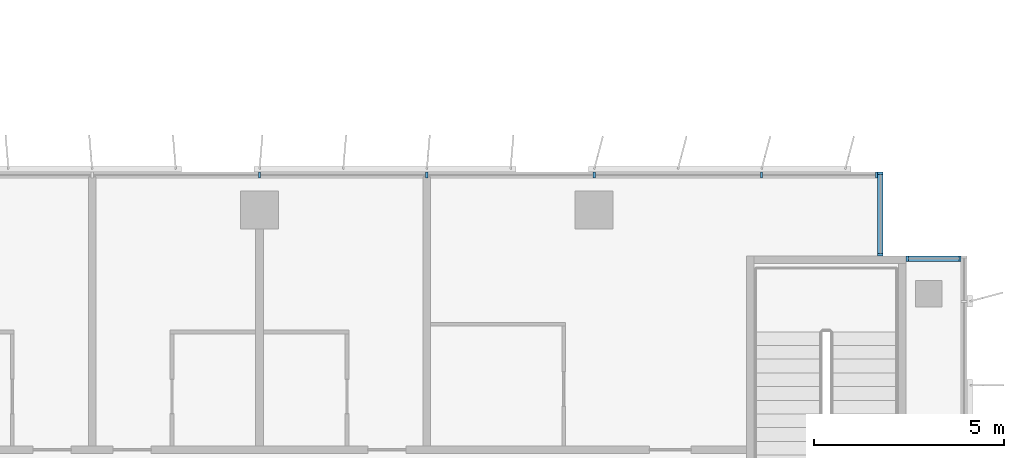
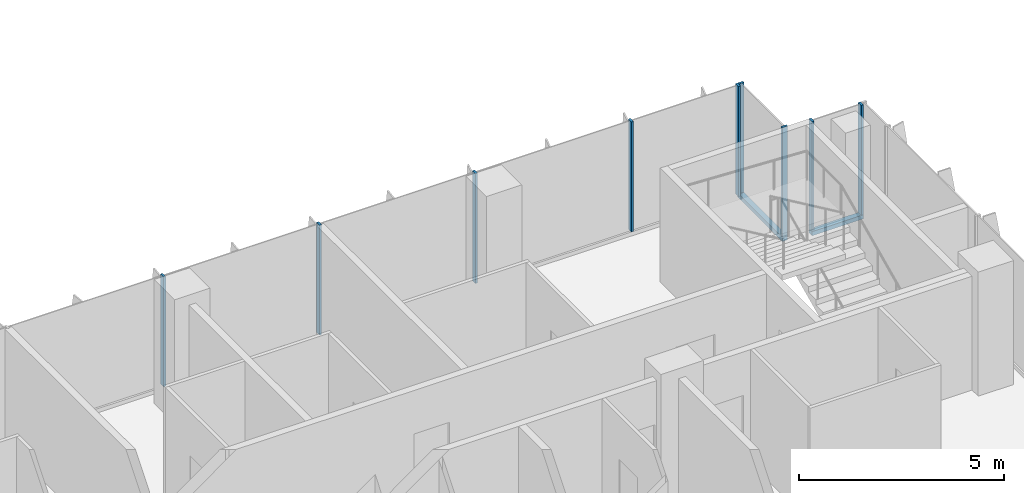
# One storey, part 4 of 22: 11 members, 3 elements without a shape of their own.
"""IFC4 building model written with IfcOpenShell, lengths in metres."""

from ifc_helpers import new_model, si_unit, direction, frame, origin, origin_2d, place, context, subcontext, project, spatial, rectangle, extrude, source, transform, mapped, material, material_profile, profile_set, type_object, element, aggregate, save


model = new_model("IFC4")

# Units and contexts
model_context = context("Model", 3, precision=1e-05, world=origin(), true_north=direction((0.0, 1.0)))
body_context = subcontext(model_context, "Body", "Model", "MODEL_VIEW")
ifc_project = project(units=[si_unit("LENGTHUNIT", "METRE"), si_unit("AREAUNIT", "SQUARE_METRE"), si_unit("VOLUMEUNIT", "CUBIC_METRE"), si_unit("PLANEANGLEUNIT", "RADIAN"), si_unit("MASSUNIT", "GRAM", prefix="KILO")], contexts=[model_context])

# Site, building, storey
site_placement = place(None, origin())
site = spatial("IfcSite", under=ifc_project, at=site_placement, CompositionType="ELEMENT")
building_placement = place(site_placement, origin())
building = spatial("IfcBuilding", under=site, at=building_placement, Name="Kemantara Hotel Tower", CompositionType="ELEMENT")
storey_placement = place(building_placement, frame((0.0, 0.0, 153.10009765625)))
storey = spatial("IfcBuildingStorey", under=building, at=storey_placement, Name="L37", CompositionType="ELEMENT", Elevation=153.10009765625)

# Curtain wall, member
ifc_material_1 = material(Name="Low-E tinted double insulated glass 36 mm", Category="glass")
curtain_wall_type = type_object("IfcCurtainWallType", Name="TOWER CURTAIN WALL, FRONT FACES", PredefinedType="USERDEFINED", material=ifc_material_1)
curtain_wall_1_placement = place(storey_placement, origin())
curtain_wall_1 = element("IfcCurtainWall", 1, at=curtain_wall_1_placement, inside=storey, type_object=curtain_wall_type, Name="CW4 L37 T3-R12-1", ObjectType="TOWER CURTAIN WALL, FRONT FACES", PredefinedType="USERDEFINED")
ifc_material_2 = material(Name="Aluminium 6063-T6 bronze anodised", Category="aluminium")
ifc_material_profile_1 = material_profile(ifc_material_2, rectangle(XDim=0.14990234375, YDim=0.1201171875, at=origin_2d()), Name="TOWER CURTAIN WALL, FRONT FACES TRANSOM")
ifc_profile_set_1 = profile_set([ifc_material_profile_1], Name="Aluminium 6063-T6 bronze anodised")
member_type_1 = type_object("IfcMemberType", Name="TOWER CURTAIN WALL, FRONT FACES TRANSOM", PredefinedType="USERDEFINED", material=ifc_profile_set_1)
member_1_placement = place(storey_placement, frame((63.449951171875, 19.72509765625, 0.059814453125), z_axis=(-1.0, 0.0, 0.0), x_axis=(0.0, -1.0, 0.0)))
member_1 = element("IfcMember", 2, at=member_1_placement, type_object=member_type_1, Name="CW4 sill transom T3-R12-1", ObjectType="TRANSOM", PredefinedType="USERDEFINED", context=body_context, shape_type="SweptSolid", body=[
    extrude(rectangle(XDim=0.14990234375, YDim=0.1201171875, at=origin_2d()), origin(), (0.0, 0.0, 1.0), 1.449951171875),
])

curtain_wall_2_placement = place(storey_placement, origin())
curtain_wall_2 = element("IfcCurtainWall", 3, at=curtain_wall_2_placement, inside=storey, type_object=curtain_wall_type, Name="CW4 L37 T3-R13-1", ObjectType="TOWER CURTAIN WALL, FRONT FACES", PredefinedType="USERDEFINED")
member_2_placement = place(storey_placement, frame((61.324951171875, 19.800048828125, 0.059814453125), z_axis=(0.0, 1.0, 0.0), x_axis=(-1.0, 0.0, 0.0)))
member_2 = element("IfcMember", 4, at=member_2_placement, type_object=member_type_1, Name="CW4 sill transom T3-R13-1", ObjectType="TRANSOM", PredefinedType="USERDEFINED", context=body_context, shape_type="SweptSolid", body=[
    extrude(rectangle(XDim=0.14990234375, YDim=0.1201171875, at=origin_2d()), origin(), (0.0, 0.0, 1.0), 2.199951171875),
])

# Curtain wall, members
curtain_wall_3_placement = place(storey_placement, origin())
curtain_wall_3 = element("IfcCurtainWall", 5, at=curtain_wall_3_placement, inside=storey, type_object=curtain_wall_type, Name="CW4 L37 T3-R14-1", ObjectType="TOWER CURTAIN WALL, FRONT FACES", PredefinedType="USERDEFINED")
ifc_material_profile_2 = material_profile(ifc_material_2, rectangle(XDim=0.14990234375, YDim=0.06005859375, at=origin_2d()), Name="TOWER CURTAIN WALL, FRONT FACES MULLION")
ifc_profile_set_2 = profile_set([ifc_material_profile_2], Name="Aluminium 6063-T6 bronze anodised")
member_type_2 = type_object("IfcMemberType", Name="TOWER CURTAIN WALL, FRONT FACES MULLION", PredefinedType="MULLION", material=ifc_profile_set_2)
shared_shape = source(origin(), body_context, "Body", "SweptSolid", [
    extrude(rectangle(XDim=0.14990234375, YDim=0.06005859375, at=origin_2d()), origin(), (0.0, 0.0, 1.0), 3.280029296875),
])
member_3_placement = place(storey_placement, frame((61.219970703125, 21.925048828125, 0.119873046875), z_axis=(0.0, 0.0, 1.0), x_axis=(0.0, -1.0, 0.0)))
member_3 = element("IfcMember", 6, at=member_3_placement, type_object=member_type_2, Name="CW4 mullion T3-R14-1.1", PredefinedType="MULLION", context=body_context, shape_type="MappedRepresentation", body=[
    mapped(shared_shape, transform((0.0, 0.0, 0.0))),
])
member_4_placement = place(storey_placement, frame((58.199951171875, 21.925048828125, 0.119873046875), z_axis=(0.0, 0.0, 1.0), x_axis=(0.0, -1.0, 0.0)))
member_4 = element("IfcMember", 7, at=member_4_placement, type_object=member_type_2, Name="CW4 mullion T3-R14-1.2", PredefinedType="MULLION", context=body_context, shape_type="MappedRepresentation", body=[
    mapped(shared_shape, transform((0.0, 0.0, 0.0))),
])
member_5_placement = place(storey_placement, frame((53.800048828125, 21.925048828125, 0.119873046875), z_axis=(0.0, 0.0, 1.0), x_axis=(0.0, -1.0, 0.0)))
member_5 = element("IfcMember", 8, at=member_5_placement, type_object=member_type_2, Name="CW4 mullion T3-R14-1.3", PredefinedType="MULLION", context=body_context, shape_type="MappedRepresentation", body=[
    mapped(shared_shape, transform((0.0, 0.0, 0.0))),
])
member_6_placement = place(storey_placement, frame((49.39990234375, 21.925048828125, 0.119873046875), z_axis=(0.0, 0.0, 1.0), x_axis=(0.0, -1.0, 0.0)))
member_6 = element("IfcMember", 9, at=member_6_placement, type_object=member_type_2, Name="CW4 mullion T3-R14-1.4", PredefinedType="MULLION", context=body_context, shape_type="MappedRepresentation", body=[
    mapped(shared_shape, transform((0.0, 0.0, 0.0))),
])
member_7_placement = place(storey_placement, frame((45.0, 21.925048828125, 0.119873046875), z_axis=(0.0, 0.0, 1.0), x_axis=(0.0, -1.0, 0.0)))
member_7 = element("IfcMember", 10, at=member_7_placement, type_object=member_type_2, Name="CW4 mullion T3-R14-1.5", PredefinedType="MULLION", context=body_context, shape_type="MappedRepresentation", body=[
    mapped(shared_shape, transform((0.0, 0.0, 0.0))),
])
aggregate(curtain_wall_3, [member_3, member_4, member_5, member_6, member_7])

# Member
member_8_placement = place(storey_placement, frame((63.419921875, 19.72509765625, 0.119873046875), z_axis=(0.0, 0.0, 1.0), x_axis=(0.0, -1.0, 0.0)))
member_8 = element("IfcMember", 11, at=member_8_placement, type_object=member_type_2, Name="CW4 mullion T3-R12-1.1", PredefinedType="MULLION", context=body_context, shape_type="MappedRepresentation", body=[
    mapped(shared_shape, transform((0.0, 0.0, 0.0))),
])

member_9_placement = place(storey_placement, frame((62.030029296875, 19.72509765625, 0.119873046875), z_axis=(0.0, 0.0, 1.0), x_axis=(0.0, -1.0, 0.0)))
member_9 = element("IfcMember", 12, at=member_9_placement, type_object=member_type_2, Name="CW4 mullion T3-R12-1.2", PredefinedType="MULLION", context=body_context, shape_type="MappedRepresentation", body=[
    mapped(shared_shape, transform((0.0, 0.0, 0.0))),
])

aggregate(curtain_wall_1, [member_1, member_8, member_9])

member_10_placement = place(storey_placement, frame((61.324951171875, 19.830078125, 0.119873046875), z_axis=(0.0, 0.0, 1.0), x_axis=(-1.0, 0.0, 0.0)))
member_10 = element("IfcMember", 13, at=member_10_placement, type_object=member_type_2, Name="CW4 mullion T3-R13-1.1", PredefinedType="MULLION", context=body_context, shape_type="MappedRepresentation", body=[
    mapped(shared_shape, transform((0.0, 0.0, 0.0))),
])

member_11_placement = place(storey_placement, frame((61.324951171875, 21.969970703125, 0.119873046875), z_axis=(0.0, 0.0, 1.0), x_axis=(-1.0, 0.0, 0.0)))
member_11 = element("IfcMember", 14, at=member_11_placement, type_object=member_type_2, Name="CW4 mullion T3-R13-1.2", PredefinedType="MULLION", context=body_context, shape_type="MappedRepresentation", body=[
    mapped(shared_shape, transform((0.0, 0.0, 0.0))),
])

aggregate(curtain_wall_2, [member_2, member_10, member_11])

save(model, "model.ifc")
